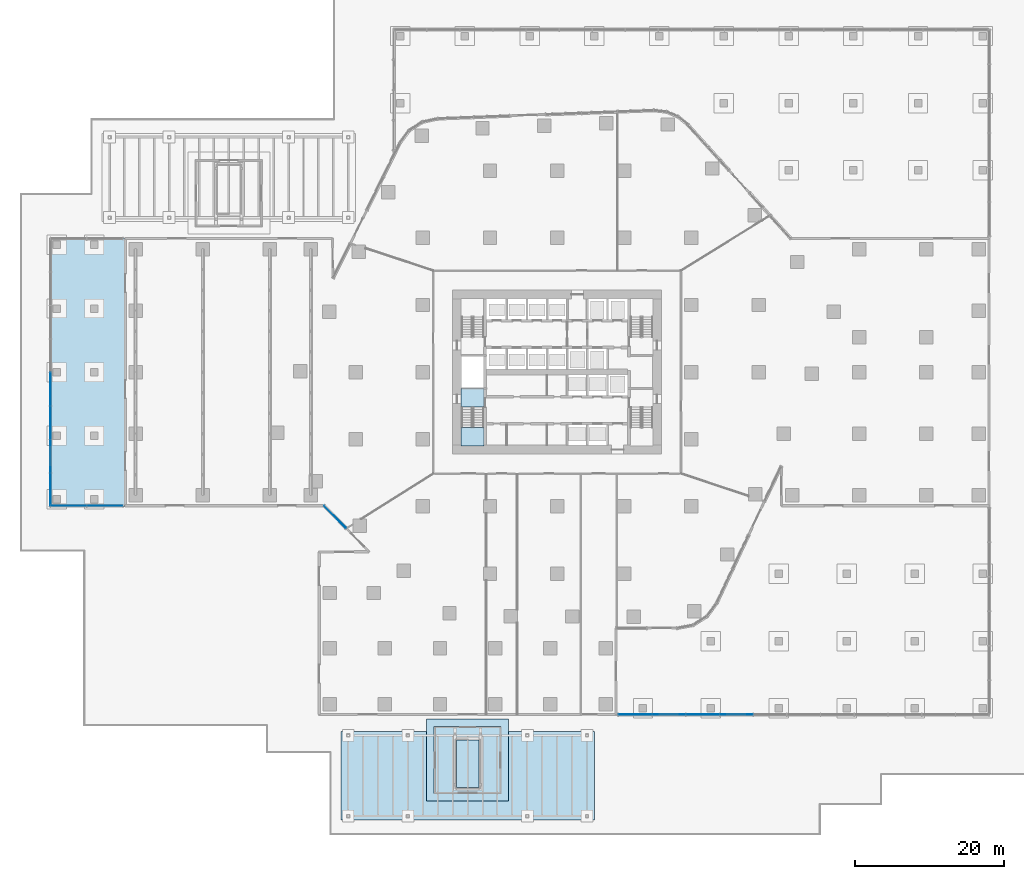
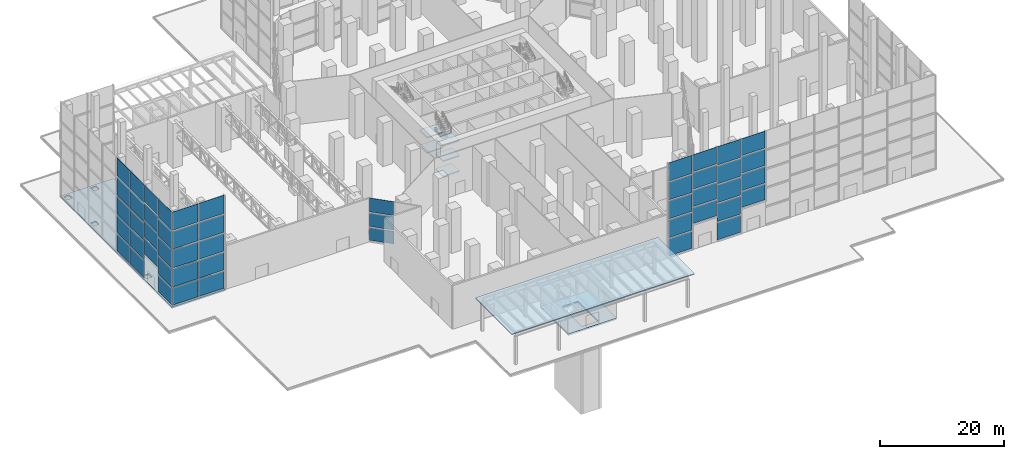
# One storey, part 21 of 40: 50 plates, 9 slabs, 10 elements without a shape of their own.
"""IFC4 building model written with IfcOpenShell, lengths in metres."""

import ifcopenshell
import ifcopenshell.guid

model = None  # the IFC model being written
_history = None  # IfcOwnerHistory: only IFC2X3 demands one
_inside = {}  # id of a spatial element -> (the spatial element, [elements in it])
_under = {}  # id of a project, library or spatial element -> (it, [spatial elements below it])
_declared = {}  # id of a project -> (the project, [libraries it declares])
_typed = {}  # id of a type object -> (the type object, [elements of that type])
_made_of = {}  # id of a material, layer set ... -> (it, [elements and type objects made of it])


def new_model(schema):
    """Start an empty IFC model of exactly this schema.

    Asked for "IFC4X3", IfcOpenShell would pick the latest addendum, in which some entities
    have other attributes; the version numbers below select the first issue.
    IFC2X3 requires an IfcOwnerHistory on every rooted entity: one is made here for all.
    """
    global model, _history
    if schema == "IFC4X3":
        model = ifcopenshell.file(schema_version=(4, 3, 0, 0))
    else:
        model = ifcopenshell.file(schema=schema)
    _inside.clear()
    _under.clear()
    _declared.clear()
    _typed.clear()
    _made_of.clear()
    _history = None
    if model.schema == "IFC2X3":
        org = make("IfcOrganization", Name="unknown")
        user = make(
            "IfcPersonAndOrganization",
            ThePerson=make("IfcPerson", FamilyName="unknown"),
            TheOrganization=org,
        )
        app = make(
            "IfcApplication",
            ApplicationDeveloper=org,
            Version="unknown",
            ApplicationFullName="unknown",
            ApplicationIdentifier="unknown",
        )
        _history = make(
            "IfcOwnerHistory",
            OwningUser=user,
            OwningApplication=app,
            ChangeAction="ADDED",
            CreationDate=0,
        )
    return model


def make(cls, **values):
    """One entity of the class cls with the attributes given. An attribute that is None is left unset."""
    return model.create_entity(
        cls, **{name: value for name, value in values.items() if value is not None}
    )


def rooted(cls, **values):
    """An entity with a GlobalId (a new one), such as an element, a storey or a relation."""
    return make(cls, GlobalId=ifcopenshell.guid.new(), OwnerHistory=_history, **values)


def si_unit(unit_type, name, prefix=None):
    """IfcSIUnit, for example si_unit("LENGTHUNIT", "METRE", prefix="MILLI")."""
    return make("IfcSIUnit", UnitType=unit_type, Prefix=prefix, Name=name)


def assignment(units):
    """IfcUnitAssignment: the units of a project."""
    return None if units is None else make("IfcUnitAssignment", Units=units)


def point(xyz):
    """IfcCartesianPoint."""
    return None if xyz is None else make("IfcCartesianPoint", Coordinates=xyz)


def direction(xyz):
    """IfcDirection."""
    return None if xyz is None else make("IfcDirection", DirectionRatios=xyz)


def frame(location, z_axis=None, x_axis=None):
    """IfcAxis2Placement3D, a coordinate frame: its origin and axes. An axis left out is left unset."""
    return make(
        "IfcAxis2Placement3D",
        Location=point(location),
        Axis=direction(z_axis),
        RefDirection=direction(x_axis),
    )


def frame_2d(location, x_axis=None):
    """IfcAxis2Placement2D, a coordinate frame in the plane: its origin and x axis."""
    return make(
        "IfcAxis2Placement2D", Location=point(location), RefDirection=direction(x_axis)
    )


def origin():
    """The frame at (0, 0, 0) with its axes left unset."""
    return frame((0.0, 0.0, 0.0))


def origin_2d():
    """The frame at (0, 0) in the plane with its x axis left unset."""
    return frame_2d((0.0, 0.0))


def place(relative_to, where):
    """IfcLocalPlacement: puts the frame where relative to a parent placement (None: the world)."""
    return make(
        "IfcLocalPlacement", PlacementRelTo=relative_to, RelativePlacement=where
    )


def context(
    kind, dimensions, precision=None, world=None, true_north=None, identifier=None
):
    """IfcGeometricRepresentationContext, for example the 3D "Model" context."""
    return make(
        "IfcGeometricRepresentationContext",
        ContextIdentifier=identifier,
        ContextType=kind,
        CoordinateSpaceDimension=dimensions,
        Precision=precision,
        WorldCoordinateSystem=world,
        TrueNorth=true_north,
    )


def subcontext(parent, identifier, kind, view, scale=None):
    """IfcGeometricRepresentationSubContext, for example "Body" below "Model"."""
    return make(
        "IfcGeometricRepresentationSubContext",
        ContextIdentifier=identifier,
        ContextType=kind,
        ParentContext=parent,
        TargetScale=scale,
        TargetView=view,
    )


def project(units=None, contexts=None):
    """IfcProject with its units and contexts."""
    return rooted(
        "IfcProject",
        Name="project",
        RepresentationContexts=contexts,
        UnitsInContext=assignment(units),
    )


def spatial(cls, under=None, at=None, **own):
    """A site, building, storey or space (cls), placed at a placement, below another one or the project."""
    s = rooted(cls, ObjectPlacement=at, **own)
    if under is not None:
        _under.setdefault(under.id(), (under, []))[1].append(s)
    return s


def polyline(points):
    """IfcPolyline through the points."""
    return make("IfcPolyline", Points=[point(p) for p in points])


def profile(cls, at=None, kind="AREA", **sizes):
    """A parametric profile (cls). Its sizes go by their IFC names, for example OverallWidth=200.0."""
    return make(cls, ProfileType=kind, Position=at, **sizes)


def rectangle(**sizes):
    """IfcRectangleProfileDef."""
    return profile("IfcRectangleProfileDef", **sizes)


def outline(outer, holes=None, kind="AREA"):
    """IfcArbitraryClosedProfileDef: a profile drawn as a closed curve; with holes, ...WithVoids."""
    if holes is None:
        return make("IfcArbitraryClosedProfileDef", ProfileType=kind, OuterCurve=outer)
    return make(
        "IfcArbitraryProfileDefWithVoids",
        ProfileType=kind,
        OuterCurve=outer,
        InnerCurves=holes,
    )


def extrude(swept, where, along, depth):
    """IfcExtrudedAreaSolid: the profile swept, set in the frame where, extruded along a direction by depth."""
    return make(
        "IfcExtrudedAreaSolid",
        SweptArea=swept,
        Position=where,
        ExtrudedDirection=direction(along),
        Depth=depth,
    )


def shape(context_of_items, identifier, shape_type, items):
    """IfcShapeRepresentation: the items that make up one representation, for example the "Body"."""
    return make(
        "IfcShapeRepresentation",
        ContextOfItems=context_of_items,
        RepresentationIdentifier=identifier,
        RepresentationType=shape_type,
        Items=items,
    )


def material(Name=None, Category=None):
    """IfcMaterial."""
    return make("IfcMaterial", Name=Name, Category=Category)


def layer(
    of_material, thickness, ventilated=None, Name=None, Category=None, Priority=None
):
    """IfcMaterialLayer: one layer of a wall or slab, of a material (None: an air gap)."""
    return make(
        "IfcMaterialLayer",
        Material=of_material,
        LayerThickness=thickness,
        IsVentilated=ventilated,
        Name=Name,
        Category=Category,
        Priority=Priority,
    )


def layer_set(layers, Name=None):
    """IfcMaterialLayerSet."""
    return make("IfcMaterialLayerSet", MaterialLayers=layers, LayerSetName=Name)


def made_of(thing, what):
    """Note that an element or type object is made of a material, layer set ...; save() writes the relation."""
    if what is not None:
        _made_of.setdefault(what.id(), (what, []))[1].append(thing)
    return thing


def type_object(cls, material=None, **own):
    """A type object (cls), such as IfcWallType, which elements share."""
    return made_of(rooted(cls, **own), material)


def element(
    cls,
    number,
    at=None,
    inside=None,
    cuts=None,
    type_object=None,
    material=None,
    context=None,
    identifier="Body",
    shape_type=None,
    held_by="IfcProductDefinitionShape",
    body=None,
    shapes=None,
    **own,
):
    """One element of the class cls, such as IfcWall. Its Tag is "e" and its number.

    at: its placement. inside: the storey or other place that contains it. cuts: it is an
    opening in that element (IfcRelVoidsElement). A single representation is given by context,
    identifier, shape_type and body (its items); several are given by shapes. held_by: the class
    of the entity that holds the representations. save() writes the other relations.
    """
    e = rooted(cls, Tag="e%d" % number, ObjectPlacement=at, **own)
    if body is not None:
        shapes = [shape(context, identifier, shape_type, body)]
    if shapes is not None:
        e.Representation = make(held_by, Representations=shapes)
    if inside is not None:
        _inside.setdefault(inside.id(), (inside, []))[1].append(e)
    if cuts is not None:
        rooted(
            "IfcRelVoidsElement", RelatingBuildingElement=cuts, RelatedOpeningElement=e
        )
    if type_object is not None:
        _typed.setdefault(type_object.id(), (type_object, []))[1].append(e)
    return made_of(e, material)


def aggregate(whole, parts):
    """IfcRelAggregates: a whole, such as a stair, and the parts it consists of."""
    return rooted("IfcRelAggregates", RelatingObject=whole, RelatedObjects=parts)


def save(model, path):
    """Write the relations noted so far, then the file.

    IfcRelAggregates (storeys below a building ...), IfcRelContainedInSpatialStructure (elements
    in a storey), IfcRelDefinesByType, IfcRelAssociatesMaterial and IfcRelDeclares: one each for
    every whole, place, type object, material and project.
    """
    for whole, parts in _under.values():
        aggregate(whole, parts)
    for where, things in _inside.values():
        rooted(
            "IfcRelContainedInSpatialStructure",
            RelatedElements=things,
            RelatingStructure=where,
        )
    for kind, things in _typed.values():
        rooted("IfcRelDefinesByType", RelatedObjects=things, RelatingType=kind)
    for what, things in _made_of.values():
        rooted("IfcRelAssociatesMaterial", RelatedObjects=things, RelatingMaterial=what)
    for by, libraries in _declared.values():
        rooted("IfcRelDeclares", RelatingContext=by, RelatedDefinitions=libraries)
    model.write(path)


model = new_model("IFC4")

# Units and contexts
model_context = context("Model", 3, precision=1e-05, world=origin(), true_north=direction((0.0, 1.0)))
body_context = subcontext(model_context, "Body", "Model", "MODEL_VIEW")
ifc_project = project(units=[si_unit("LENGTHUNIT", "METRE"), si_unit("AREAUNIT", "SQUARE_METRE"), si_unit("VOLUMEUNIT", "CUBIC_METRE"), si_unit("PLANEANGLEUNIT", "RADIAN"), si_unit("MASSUNIT", "GRAM", prefix="KILO")], contexts=[model_context])

# Site, building, storey
site_placement = place(None, origin())
site = spatial("IfcSite", under=ifc_project, at=site_placement, CompositionType="ELEMENT")
building_placement = place(site_placement, origin())
building = spatial("IfcBuilding", under=site, at=building_placement, Name="Dongbaek Canopy Tower", CompositionType="ELEMENT")
storey_placement = place(building_placement, origin())
storey = spatial("IfcBuildingStorey", under=building, at=storey_placement, Name="L00", CompositionType="ELEMENT", Elevation=0.0)

# Curtain wall, plates
ifc_material_1 = material(Name="Aluminium 6063-T6 pale anodised", Category="aluminium")
ifc_layer_1 = layer(ifc_material_1, 0.39990234375)
ifc_layer_set_1 = layer_set([ifc_layer_1], Name="CW-3 lobby double-height curtain wall")
curtain_wall_type = type_object("IfcCurtainWallType", Name="CW-3 lobby double-height curtain wall", PredefinedType="NOTDEFINED", material=ifc_layer_set_1)
curtain_wall_1_placement = place(storey_placement, origin())
curtain_wall_1 = element("IfcCurtainWall", 1, at=curtain_wall_1_placement, inside=storey, type_object=curtain_wall_type, Name="CW-3 curtain wall F12.1", PredefinedType="NOTDEFINED")
ifc_material_2 = material(Name="Clear laminated glass", Category="glass")
ifc_layer_2 = layer(ifc_material_2, 0.0439453125)
ifc_layer_set_2 = layer_set([ifc_layer_2], Name="CW-3 glazed panel 44")
plate_type = type_object("IfcPlateType", Name="CW-3 glazed panel 44", PredefinedType="CURTAIN_PANEL", material=ifc_layer_set_2)
plate_1_placement = place(storey_placement, frame((-29.7578125, -19.414794921875, 0.25), z_axis=(0.0, 0.0, 1.0), x_axis=(0.701718297237, -0.712454511757, 0.0)))
plate_1 = element("IfcPlate", 2, at=plate_1_placement, type_object=plate_type, Name="CW-3 panel F12.1.1.1", PredefinedType="CURTAIN_PANEL", context=body_context, shape_type="SweptSolid", body=[
    extrude(rectangle(XDim=4.128662109375, YDim=0.0439453125, at=origin_2d()), origin(), (0.0, 0.0, 1.0), 2.47509765625),
])
plate_2_placement = place(storey_placement, frame((-29.7578125, -19.414794921875, 2.974853515625), z_axis=(0.0, 0.0, 1.0), x_axis=(0.701718297237, -0.712454511757, 0.0)))
plate_2 = element("IfcPlate", 3, at=plate_2_placement, type_object=plate_type, Name="CW-3 panel F12.1.1.2", PredefinedType="CURTAIN_PANEL", context=body_context, shape_type="SweptSolid", body=[
    extrude(rectangle(XDim=4.128662109375, YDim=0.0439453125, at=origin_2d()), origin(), (0.0, 0.0, 1.0), 2.60009765625),
])
plate_3_placement = place(storey_placement, frame((-29.7578125, -19.414794921875, 5.824951171875), z_axis=(0.0, 0.0, 1.0), x_axis=(0.701718297237, -0.712454511757, 0.0)))
plate_3 = element("IfcPlate", 4, at=plate_3_placement, type_object=plate_type, Name="CW-3 panel F12.1.1.3", PredefinedType="CURTAIN_PANEL", context=body_context, shape_type="SweptSolid", body=[
    extrude(rectangle(XDim=4.128662109375, YDim=0.0439453125, at=origin_2d()), origin(), (0.0, 0.0, 1.0), 2.72509765625),
])
aggregate(curtain_wall_1, [plate_1, plate_2, plate_3])

curtain_wall_2_placement = place(storey_placement, origin())
curtain_wall_2 = element("IfcCurtainWall", 5, at=curtain_wall_2_placement, inside=storey, type_object=curtain_wall_type, Name="CW-3 curtain wall HSS.1", PredefinedType="NOTDEFINED")
plate_4_placement = place(storey_placement, frame((10.458984375, -45.89990234375, 0.25), z_axis=(0.0, 0.0, 1.0), x_axis=(1.0, 0.0, 0.0)))
plate_4 = element("IfcPlate", 6, at=plate_4_placement, type_object=plate_type, Name="CW-3 panel HSS.1.1.1", PredefinedType="CURTAIN_PANEL", context=body_context, shape_type="SweptSolid", body=[
    extrude(rectangle(XDim=4.394287109375, YDim=0.0439453125, at=origin_2d()), origin(), (0.0, 0.0, 1.0), 3.3349609375),
])
plate_5_placement = place(storey_placement, frame((10.458984375, -45.89990234375, 3.8349609375), z_axis=(0.0, 0.0, 1.0), x_axis=(1.0, 0.0, 0.0)))
plate_5 = element("IfcPlate", 7, at=plate_5_placement, type_object=plate_type, Name="CW-3 panel HSS.1.1.2", PredefinedType="CURTAIN_PANEL", context=body_context, shape_type="SweptSolid", body=[
    extrude(rectangle(XDim=4.394287109375, YDim=0.0439453125, at=origin_2d()), origin(), (0.0, 0.0, 1.0), 3.4599609375),
])
plate_6_placement = place(storey_placement, frame((10.458984375, -45.89990234375, 7.544921875), z_axis=(0.0, 0.0, 1.0), x_axis=(1.0, 0.0, 0.0)))
plate_6 = element("IfcPlate", 8, at=plate_6_placement, type_object=plate_type, Name="CW-3 panel HSS.1.1.3", PredefinedType="CURTAIN_PANEL", context=body_context, shape_type="SweptSolid", body=[
    extrude(rectangle(XDim=4.394287109375, YDim=0.0439453125, at=origin_2d()), origin(), (0.0, 0.0, 1.0), 3.4599609375),
])
plate_7_placement = place(storey_placement, frame((10.458984375, -45.89990234375, 11.255126953125), z_axis=(0.0, 0.0, 1.0), x_axis=(1.0, 0.0, 0.0)))
plate_7 = element("IfcPlate", 9, at=plate_7_placement, type_object=plate_type, Name="CW-3 panel HSS.1.1.4", PredefinedType="CURTAIN_PANEL", context=body_context, shape_type="SweptSolid", body=[
    extrude(rectangle(XDim=4.394287109375, YDim=0.0439453125, at=origin_2d()), origin(), (0.0, 0.0, 1.0), 3.4599609375),
])
plate_8_placement = place(storey_placement, frame((10.458984375, -45.89990234375, 14.965087890625), z_axis=(0.0, 0.0, 1.0), x_axis=(1.0, 0.0, 0.0)))
plate_8 = element("IfcPlate", 10, at=plate_8_placement, type_object=plate_type, Name="CW-3 panel HSS.1.1.5", PredefinedType="CURTAIN_PANEL", context=body_context, shape_type="SweptSolid", body=[
    extrude(rectangle(XDim=4.394287109375, YDim=0.0439453125, at=origin_2d()), origin(), (0.0, 0.0, 1.0), 3.5849609375),
])
aggregate(curtain_wall_2, [plate_4, plate_5, plate_6, plate_7, plate_8])

curtain_wall_3_placement = place(storey_placement, origin())
curtain_wall_3 = element("IfcCurtainWall", 11, at=curtain_wall_3_placement, inside=storey, type_object=curtain_wall_type, Name="CW-3 curtain wall HSS.2U", PredefinedType="NOTDEFINED")
plate_9_placement = place(storey_placement, frame((14.977294921875, -45.89990234375, 5.050048828125), z_axis=(0.0, 0.0, 1.0), x_axis=(1.0, 0.0, 0.0)))
plate_9 = element("IfcPlate", 12, at=plate_9_placement, type_object=plate_type, Name="CW-3 panel HSS.2U.1.1", PredefinedType="CURTAIN_PANEL", context=body_context, shape_type="SweptSolid", body=[
    extrude(rectangle(XDim=4.394287109375, YDim=0.0439453125, at=origin_2d()), origin(), (0.0, 0.0, 1.0), 3.0625),
])
plate_10_placement = place(storey_placement, frame((14.977294921875, -45.89990234375, 8.362548828125), z_axis=(0.0, 0.0, 1.0), x_axis=(1.0, 0.0, 0.0)))
plate_10 = element("IfcPlate", 13, at=plate_10_placement, type_object=plate_type, Name="CW-3 panel HSS.2U.1.2", PredefinedType="CURTAIN_PANEL", context=body_context, shape_type="SweptSolid", body=[
    extrude(rectangle(XDim=4.394287109375, YDim=0.0439453125, at=origin_2d()), origin(), (0.0, 0.0, 1.0), 3.1875),
])
plate_11_placement = place(storey_placement, frame((14.977294921875, -45.89990234375, 11.800048828125), z_axis=(0.0, 0.0, 1.0), x_axis=(1.0, 0.0, 0.0)))
plate_11 = element("IfcPlate", 14, at=plate_11_placement, type_object=plate_type, Name="CW-3 panel HSS.2U.1.3", PredefinedType="CURTAIN_PANEL", context=body_context, shape_type="SweptSolid", body=[
    extrude(rectangle(XDim=4.394287109375, YDim=0.0439453125, at=origin_2d()), origin(), (0.0, 0.0, 1.0), 3.1875),
])
plate_12_placement = place(storey_placement, frame((14.977294921875, -45.89990234375, 15.237548828125), z_axis=(0.0, 0.0, 1.0), x_axis=(1.0, 0.0, 0.0)))
plate_12 = element("IfcPlate", 15, at=plate_12_placement, type_object=plate_type, Name="CW-3 panel HSS.2U.1.4", PredefinedType="CURTAIN_PANEL", context=body_context, shape_type="SweptSolid", body=[
    extrude(rectangle(XDim=4.394287109375, YDim=0.0439453125, at=origin_2d()), origin(), (0.0, 0.0, 1.0), 3.3125),
])
aggregate(curtain_wall_3, [plate_9, plate_10, plate_11, plate_12])

curtain_wall_4_placement = place(storey_placement, origin())
curtain_wall_4 = element("IfcCurtainWall", 16, at=curtain_wall_4_placement, inside=storey, type_object=curtain_wall_type, Name="CW-3 curtain wall HSS.2", PredefinedType="NOTDEFINED")
plate_13_placement = place(storey_placement, frame((19.495361328125, -45.89990234375, 0.25), z_axis=(0.0, 0.0, 1.0), x_axis=(1.0, 0.0, 0.0)))
plate_13 = element("IfcPlate", 17, at=plate_13_placement, type_object=plate_type, Name="CW-3 panel HSS.2.1.1", PredefinedType="CURTAIN_PANEL", context=body_context, shape_type="SweptSolid", body=[
    extrude(rectangle(XDim=4.394287109375, YDim=0.0439453125, at=origin_2d()), origin(), (0.0, 0.0, 1.0), 3.3349609375),
])
plate_14_placement = place(storey_placement, frame((19.495361328125, -45.89990234375, 3.8349609375), z_axis=(0.0, 0.0, 1.0), x_axis=(1.0, 0.0, 0.0)))
plate_14 = element("IfcPlate", 18, at=plate_14_placement, type_object=plate_type, Name="CW-3 panel HSS.2.1.2", PredefinedType="CURTAIN_PANEL", context=body_context, shape_type="SweptSolid", body=[
    extrude(rectangle(XDim=4.394287109375, YDim=0.0439453125, at=origin_2d()), origin(), (0.0, 0.0, 1.0), 3.4599609375),
])
plate_15_placement = place(storey_placement, frame((19.495361328125, -45.89990234375, 7.544921875), z_axis=(0.0, 0.0, 1.0), x_axis=(1.0, 0.0, 0.0)))
plate_15 = element("IfcPlate", 19, at=plate_15_placement, type_object=plate_type, Name="CW-3 panel HSS.2.1.3", PredefinedType="CURTAIN_PANEL", context=body_context, shape_type="SweptSolid", body=[
    extrude(rectangle(XDim=4.394287109375, YDim=0.0439453125, at=origin_2d()), origin(), (0.0, 0.0, 1.0), 3.4599609375),
])
plate_16_placement = place(storey_placement, frame((19.495361328125, -45.89990234375, 11.255126953125), z_axis=(0.0, 0.0, 1.0), x_axis=(1.0, 0.0, 0.0)))
plate_16 = element("IfcPlate", 20, at=plate_16_placement, type_object=plate_type, Name="CW-3 panel HSS.2.1.4", PredefinedType="CURTAIN_PANEL", context=body_context, shape_type="SweptSolid", body=[
    extrude(rectangle(XDim=4.394287109375, YDim=0.0439453125, at=origin_2d()), origin(), (0.0, 0.0, 1.0), 3.4599609375),
])
plate_17_placement = place(storey_placement, frame((19.495361328125, -45.89990234375, 14.965087890625), z_axis=(0.0, 0.0, 1.0), x_axis=(1.0, 0.0, 0.0)))
plate_17 = element("IfcPlate", 21, at=plate_17_placement, type_object=plate_type, Name="CW-3 panel HSS.2.1.5", PredefinedType="CURTAIN_PANEL", context=body_context, shape_type="SweptSolid", body=[
    extrude(rectangle(XDim=4.394287109375, YDim=0.0439453125, at=origin_2d()), origin(), (0.0, 0.0, 1.0), 3.5849609375),
])
aggregate(curtain_wall_4, [plate_13, plate_14, plate_15, plate_16, plate_17])

curtain_wall_5_placement = place(storey_placement, origin())
curtain_wall_5 = element("IfcCurtainWall", 22, at=curtain_wall_5_placement, inside=storey, type_object=curtain_wall_type, Name="CW-3 curtain wall HSS.4U", PredefinedType="NOTDEFINED")
plate_18_placement = place(storey_placement, frame((24.013671875, -45.89990234375, 5.050048828125), z_axis=(0.0, 0.0, 1.0), x_axis=(1.0, 0.0, 0.0)))
plate_18 = element("IfcPlate", 23, at=plate_18_placement, type_object=plate_type, Name="CW-3 panel HSS.4U.1.1", PredefinedType="CURTAIN_PANEL", context=body_context, shape_type="SweptSolid", body=[
    extrude(rectangle(XDim=4.394287109375, YDim=0.0439453125, at=origin_2d()), origin(), (0.0, 0.0, 1.0), 3.0625),
])
plate_19_placement = place(storey_placement, frame((24.013671875, -45.89990234375, 8.362548828125), z_axis=(0.0, 0.0, 1.0), x_axis=(1.0, 0.0, 0.0)))
plate_19 = element("IfcPlate", 24, at=plate_19_placement, type_object=plate_type, Name="CW-3 panel HSS.4U.1.2", PredefinedType="CURTAIN_PANEL", context=body_context, shape_type="SweptSolid", body=[
    extrude(rectangle(XDim=4.394287109375, YDim=0.0439453125, at=origin_2d()), origin(), (0.0, 0.0, 1.0), 3.1875),
])
plate_20_placement = place(storey_placement, frame((24.013671875, -45.89990234375, 11.800048828125), z_axis=(0.0, 0.0, 1.0), x_axis=(1.0, 0.0, 0.0)))
plate_20 = element("IfcPlate", 25, at=plate_20_placement, type_object=plate_type, Name="CW-3 panel HSS.4U.1.3", PredefinedType="CURTAIN_PANEL", context=body_context, shape_type="SweptSolid", body=[
    extrude(rectangle(XDim=4.394287109375, YDim=0.0439453125, at=origin_2d()), origin(), (0.0, 0.0, 1.0), 3.1875),
])
plate_21_placement = place(storey_placement, frame((24.013671875, -45.89990234375, 15.237548828125), z_axis=(0.0, 0.0, 1.0), x_axis=(1.0, 0.0, 0.0)))
plate_21 = element("IfcPlate", 26, at=plate_21_placement, type_object=plate_type, Name="CW-3 panel HSS.4U.1.4", PredefinedType="CURTAIN_PANEL", context=body_context, shape_type="SweptSolid", body=[
    extrude(rectangle(XDim=4.394287109375, YDim=0.0439453125, at=origin_2d()), origin(), (0.0, 0.0, 1.0), 3.3125),
])
aggregate(curtain_wall_5, [plate_18, plate_19, plate_20, plate_21])

curtain_wall_6_placement = place(storey_placement, origin())
curtain_wall_6 = element("IfcCurtainWall", 27, at=curtain_wall_6_placement, inside=storey, type_object=curtain_wall_type, Name="CW-3 curtain wall HWS.1", PredefinedType="NOTDEFINED")
plate_22_placement = place(storey_placement, frame((-65.47509765625, -17.89990234375, 0.25), z_axis=(0.0, 0.0, 1.0), x_axis=(1.0, 0.0, 0.0)))
plate_22 = element("IfcPlate", 28, at=plate_22_placement, type_object=plate_type, Name="CW-3 panel HWS.1.1.1", PredefinedType="CURTAIN_PANEL", context=body_context, shape_type="SweptSolid", body=[
    extrude(rectangle(XDim=4.72607421875, YDim=0.0439453125, at=origin_2d()), origin(), (0.0, 0.0, 1.0), 3.3349609375),
])
plate_23_placement = place(storey_placement, frame((-65.47509765625, -17.89990234375, 3.8349609375), z_axis=(0.0, 0.0, 1.0), x_axis=(1.0, 0.0, 0.0)))
plate_23 = element("IfcPlate", 29, at=plate_23_placement, type_object=plate_type, Name="CW-3 panel HWS.1.1.2", PredefinedType="CURTAIN_PANEL", context=body_context, shape_type="SweptSolid", body=[
    extrude(rectangle(XDim=4.72607421875, YDim=0.0439453125, at=origin_2d()), origin(), (0.0, 0.0, 1.0), 3.4599609375),
])
plate_24_placement = place(storey_placement, frame((-65.47509765625, -17.89990234375, 7.544921875), z_axis=(0.0, 0.0, 1.0), x_axis=(1.0, 0.0, 0.0)))
plate_24 = element("IfcPlate", 30, at=plate_24_placement, type_object=plate_type, Name="CW-3 panel HWS.1.1.3", PredefinedType="CURTAIN_PANEL", context=body_context, shape_type="SweptSolid", body=[
    extrude(rectangle(XDim=4.72607421875, YDim=0.0439453125, at=origin_2d()), origin(), (0.0, 0.0, 1.0), 3.4599609375),
])
plate_25_placement = place(storey_placement, frame((-65.47509765625, -17.89990234375, 11.255126953125), z_axis=(0.0, 0.0, 1.0), x_axis=(1.0, 0.0, 0.0)))
plate_25 = element("IfcPlate", 31, at=plate_25_placement, type_object=plate_type, Name="CW-3 panel HWS.1.1.4", PredefinedType="CURTAIN_PANEL", context=body_context, shape_type="SweptSolid", body=[
    extrude(rectangle(XDim=4.72607421875, YDim=0.0439453125, at=origin_2d()), origin(), (0.0, 0.0, 1.0), 3.4599609375),
])
plate_26_placement = place(storey_placement, frame((-65.47509765625, -17.89990234375, 14.965087890625), z_axis=(0.0, 0.0, 1.0), x_axis=(1.0, 0.0, 0.0)))
plate_26 = element("IfcPlate", 32, at=plate_26_placement, type_object=plate_type, Name="CW-3 panel HWS.1.1.5", PredefinedType="CURTAIN_PANEL", context=body_context, shape_type="SweptSolid", body=[
    extrude(rectangle(XDim=4.72607421875, YDim=0.0439453125, at=origin_2d()), origin(), (0.0, 0.0, 1.0), 3.5849609375),
])
plate_27_placement = place(storey_placement, frame((-60.625, -17.89990234375, 0.25), z_axis=(0.0, 0.0, 1.0), x_axis=(1.0, 0.0, 0.0)))
plate_27 = element("IfcPlate", 33, at=plate_27_placement, type_object=plate_type, Name="CW-3 panel HWS.1.2.1", PredefinedType="CURTAIN_PANEL", context=body_context, shape_type="SweptSolid", body=[
    extrude(rectangle(XDim=4.72607421875, YDim=0.0439453125, at=origin_2d()), origin(), (0.0, 0.0, 1.0), 3.3349609375),
])
plate_28_placement = place(storey_placement, frame((-60.625, -17.89990234375, 3.8349609375), z_axis=(0.0, 0.0, 1.0), x_axis=(1.0, 0.0, 0.0)))
plate_28 = element("IfcPlate", 34, at=plate_28_placement, type_object=plate_type, Name="CW-3 panel HWS.1.2.2", PredefinedType="CURTAIN_PANEL", context=body_context, shape_type="SweptSolid", body=[
    extrude(rectangle(XDim=4.72607421875, YDim=0.0439453125, at=origin_2d()), origin(), (0.0, 0.0, 1.0), 3.4599609375),
])
plate_29_placement = place(storey_placement, frame((-60.625, -17.89990234375, 7.544921875), z_axis=(0.0, 0.0, 1.0), x_axis=(1.0, 0.0, 0.0)))
plate_29 = element("IfcPlate", 35, at=plate_29_placement, type_object=plate_type, Name="CW-3 panel HWS.1.2.3", PredefinedType="CURTAIN_PANEL", context=body_context, shape_type="SweptSolid", body=[
    extrude(rectangle(XDim=4.72607421875, YDim=0.0439453125, at=origin_2d()), origin(), (0.0, 0.0, 1.0), 3.4599609375),
])
plate_30_placement = place(storey_placement, frame((-60.625, -17.89990234375, 11.255126953125), z_axis=(0.0, 0.0, 1.0), x_axis=(1.0, 0.0, 0.0)))
plate_30 = element("IfcPlate", 36, at=plate_30_placement, type_object=plate_type, Name="CW-3 panel HWS.1.2.4", PredefinedType="CURTAIN_PANEL", context=body_context, shape_type="SweptSolid", body=[
    extrude(rectangle(XDim=4.72607421875, YDim=0.0439453125, at=origin_2d()), origin(), (0.0, 0.0, 1.0), 3.4599609375),
])
plate_31_placement = place(storey_placement, frame((-60.625, -17.89990234375, 14.965087890625), z_axis=(0.0, 0.0, 1.0), x_axis=(1.0, 0.0, 0.0)))
plate_31 = element("IfcPlate", 37, at=plate_31_placement, type_object=plate_type, Name="CW-3 panel HWS.1.2.5", PredefinedType="CURTAIN_PANEL", context=body_context, shape_type="SweptSolid", body=[
    extrude(rectangle(XDim=4.72607421875, YDim=0.0439453125, at=origin_2d()), origin(), (0.0, 0.0, 1.0), 3.5849609375),
])
aggregate(curtain_wall_6, [plate_22, plate_23, plate_24, plate_25, plate_26, plate_27, plate_28, plate_29, plate_30, plate_31])

curtain_wall_7_placement = place(storey_placement, origin())
curtain_wall_7 = element("IfcCurtainWall", 38, at=curtain_wall_7_placement, inside=storey, type_object=curtain_wall_type, Name="CW-3 curtain wall HWW.2", PredefinedType="NOTDEFINED")
plate_32_placement = place(storey_placement, frame((-67.89990234375, -2.293701171875, 0.25), z_axis=(0.0, 0.0, 1.0), x_axis=(0.0, -1.0, 0.0)))
plate_32 = element("IfcPlate", 39, at=plate_32_placement, type_object=plate_type, Name="CW-3 panel HWW.2.3.1", PredefinedType="CURTAIN_PANEL", context=body_context, shape_type="SweptSolid", body=[
    extrude(rectangle(XDim=4.363525390625, YDim=0.0439453125, at=origin_2d()), origin(), (0.0, 0.0, 1.0), 3.3349609375),
])
plate_33_placement = place(storey_placement, frame((-67.89990234375, -2.293701171875, 3.8349609375), z_axis=(0.0, 0.0, 1.0), x_axis=(0.0, -1.0, 0.0)))
plate_33 = element("IfcPlate", 40, at=plate_33_placement, type_object=plate_type, Name="CW-3 panel HWW.2.3.2", PredefinedType="CURTAIN_PANEL", context=body_context, shape_type="SweptSolid", body=[
    extrude(rectangle(XDim=4.363525390625, YDim=0.0439453125, at=origin_2d()), origin(), (0.0, 0.0, 1.0), 3.4599609375),
])
plate_34_placement = place(storey_placement, frame((-67.89990234375, -2.293701171875, 7.544921875), z_axis=(0.0, 0.0, 1.0), x_axis=(0.0, -1.0, 0.0)))
plate_34 = element("IfcPlate", 41, at=plate_34_placement, type_object=plate_type, Name="CW-3 panel HWW.2.3.3", PredefinedType="CURTAIN_PANEL", context=body_context, shape_type="SweptSolid", body=[
    extrude(rectangle(XDim=4.363525390625, YDim=0.0439453125, at=origin_2d()), origin(), (0.0, 0.0, 1.0), 3.4599609375),
])
plate_35_placement = place(storey_placement, frame((-67.89990234375, -2.293701171875, 11.255126953125), z_axis=(0.0, 0.0, 1.0), x_axis=(0.0, -1.0, 0.0)))
plate_35 = element("IfcPlate", 42, at=plate_35_placement, type_object=plate_type, Name="CW-3 panel HWW.2.3.4", PredefinedType="CURTAIN_PANEL", context=body_context, shape_type="SweptSolid", body=[
    extrude(rectangle(XDim=4.363525390625, YDim=0.0439453125, at=origin_2d()), origin(), (0.0, 0.0, 1.0), 3.4599609375),
])
plate_36_placement = place(storey_placement, frame((-67.89990234375, -2.293701171875, 14.965087890625), z_axis=(0.0, 0.0, 1.0), x_axis=(0.0, -1.0, 0.0)))
plate_36 = element("IfcPlate", 43, at=plate_36_placement, type_object=plate_type, Name="CW-3 panel HWW.2.3.5", PredefinedType="CURTAIN_PANEL", context=body_context, shape_type="SweptSolid", body=[
    extrude(rectangle(XDim=4.363525390625, YDim=0.0439453125, at=origin_2d()), origin(), (0.0, 0.0, 1.0), 3.5849609375),
])
plate_37_placement = place(storey_placement, frame((-67.89990234375, -6.78125, 0.25), z_axis=(0.0, 0.0, 1.0), x_axis=(0.0, -1.0, 0.0)))
plate_37 = element("IfcPlate", 44, at=plate_37_placement, type_object=plate_type, Name="CW-3 panel HWW.2.4.1", PredefinedType="CURTAIN_PANEL", context=body_context, shape_type="SweptSolid", body=[
    extrude(rectangle(XDim=4.363525390625, YDim=0.0439453125, at=origin_2d()), origin(), (0.0, 0.0, 1.0), 3.3349609375),
])
plate_38_placement = place(storey_placement, frame((-67.89990234375, -6.78125, 3.8349609375), z_axis=(0.0, 0.0, 1.0), x_axis=(0.0, -1.0, 0.0)))
plate_38 = element("IfcPlate", 45, at=plate_38_placement, type_object=plate_type, Name="CW-3 panel HWW.2.4.2", PredefinedType="CURTAIN_PANEL", context=body_context, shape_type="SweptSolid", body=[
    extrude(rectangle(XDim=4.363525390625, YDim=0.0439453125, at=origin_2d()), origin(), (0.0, 0.0, 1.0), 3.4599609375),
])
plate_39_placement = place(storey_placement, frame((-67.89990234375, -6.78125, 7.544921875), z_axis=(0.0, 0.0, 1.0), x_axis=(0.0, -1.0, 0.0)))
plate_39 = element("IfcPlate", 46, at=plate_39_placement, type_object=plate_type, Name="CW-3 panel HWW.2.4.3", PredefinedType="CURTAIN_PANEL", context=body_context, shape_type="SweptSolid", body=[
    extrude(rectangle(XDim=4.363525390625, YDim=0.0439453125, at=origin_2d()), origin(), (0.0, 0.0, 1.0), 3.4599609375),
])
plate_40_placement = place(storey_placement, frame((-67.89990234375, -6.78125, 11.255126953125), z_axis=(0.0, 0.0, 1.0), x_axis=(0.0, -1.0, 0.0)))
plate_40 = element("IfcPlate", 47, at=plate_40_placement, type_object=plate_type, Name="CW-3 panel HWW.2.4.4", PredefinedType="CURTAIN_PANEL", context=body_context, shape_type="SweptSolid", body=[
    extrude(rectangle(XDim=4.363525390625, YDim=0.0439453125, at=origin_2d()), origin(), (0.0, 0.0, 1.0), 3.4599609375),
])
plate_41_placement = place(storey_placement, frame((-67.89990234375, -6.78125, 14.965087890625), z_axis=(0.0, 0.0, 1.0), x_axis=(0.0, -1.0, 0.0)))
plate_41 = element("IfcPlate", 48, at=plate_41_placement, type_object=plate_type, Name="CW-3 panel HWW.2.4.5", PredefinedType="CURTAIN_PANEL", context=body_context, shape_type="SweptSolid", body=[
    extrude(rectangle(XDim=4.363525390625, YDim=0.0439453125, at=origin_2d()), origin(), (0.0, 0.0, 1.0), 3.5849609375),
])
aggregate(curtain_wall_7, [plate_32, plate_33, plate_34, plate_35, plate_36, plate_37, plate_38, plate_39, plate_40, plate_41])

curtain_wall_8_placement = place(storey_placement, origin())
curtain_wall_8 = element("IfcCurtainWall", 49, at=curtain_wall_8_placement, inside=storey, type_object=curtain_wall_type, Name="CW-3 curtain wall HWW.7U", PredefinedType="NOTDEFINED")
plate_42_placement = place(storey_placement, frame((-67.89990234375, -11.268798828125, 5.050048828125), z_axis=(0.0, 0.0, 1.0), x_axis=(0.0, -1.0, 0.0)))
plate_42 = element("IfcPlate", 50, at=plate_42_placement, type_object=plate_type, Name="CW-3 panel HWW.7U.1.1", PredefinedType="CURTAIN_PANEL", context=body_context, shape_type="SweptSolid", body=[
    extrude(rectangle(XDim=4.363525390625, YDim=0.0439453125, at=origin_2d()), origin(), (0.0, 0.0, 1.0), 3.0625),
])
plate_43_placement = place(storey_placement, frame((-67.89990234375, -11.268798828125, 8.362548828125), z_axis=(0.0, 0.0, 1.0), x_axis=(0.0, -1.0, 0.0)))
plate_43 = element("IfcPlate", 51, at=plate_43_placement, type_object=plate_type, Name="CW-3 panel HWW.7U.1.2", PredefinedType="CURTAIN_PANEL", context=body_context, shape_type="SweptSolid", body=[
    extrude(rectangle(XDim=4.363525390625, YDim=0.0439453125, at=origin_2d()), origin(), (0.0, 0.0, 1.0), 3.1875),
])
plate_44_placement = place(storey_placement, frame((-67.89990234375, -11.268798828125, 11.800048828125), z_axis=(0.0, 0.0, 1.0), x_axis=(0.0, -1.0, 0.0)))
plate_44 = element("IfcPlate", 52, at=plate_44_placement, type_object=plate_type, Name="CW-3 panel HWW.7U.1.3", PredefinedType="CURTAIN_PANEL", context=body_context, shape_type="SweptSolid", body=[
    extrude(rectangle(XDim=4.363525390625, YDim=0.0439453125, at=origin_2d()), origin(), (0.0, 0.0, 1.0), 3.1875),
])
plate_45_placement = place(storey_placement, frame((-67.89990234375, -11.268798828125, 15.237548828125), z_axis=(0.0, 0.0, 1.0), x_axis=(0.0, -1.0, 0.0)))
plate_45 = element("IfcPlate", 53, at=plate_45_placement, type_object=plate_type, Name="CW-3 panel HWW.7U.1.4", PredefinedType="CURTAIN_PANEL", context=body_context, shape_type="SweptSolid", body=[
    extrude(rectangle(XDim=4.363525390625, YDim=0.0439453125, at=origin_2d()), origin(), (0.0, 0.0, 1.0), 3.3125),
])
aggregate(curtain_wall_8, [plate_42, plate_43, plate_44, plate_45])

curtain_wall_9_placement = place(storey_placement, origin())
curtain_wall_9 = element("IfcCurtainWall", 54, at=curtain_wall_9_placement, inside=storey, type_object=curtain_wall_type, Name="CW-3 curtain wall HWW.3", PredefinedType="NOTDEFINED")
plate_46_placement = place(storey_placement, frame((-67.89990234375, -15.75634765625, 0.25), z_axis=(0.0, 0.0, 1.0), x_axis=(0.0, -1.0, 0.0)))
plate_46 = element("IfcPlate", 55, at=plate_46_placement, type_object=plate_type, Name="CW-3 panel HWW.3.1.1", PredefinedType="CURTAIN_PANEL", context=body_context, shape_type="SweptSolid", body=[
    extrude(rectangle(XDim=4.363525390625, YDim=0.0439453125, at=origin_2d()), origin(), (0.0, 0.0, 1.0), 3.3349609375),
])
plate_47_placement = place(storey_placement, frame((-67.89990234375, -15.75634765625, 3.8349609375), z_axis=(0.0, 0.0, 1.0), x_axis=(0.0, -1.0, 0.0)))
plate_47 = element("IfcPlate", 56, at=plate_47_placement, type_object=plate_type, Name="CW-3 panel HWW.3.1.2", PredefinedType="CURTAIN_PANEL", context=body_context, shape_type="SweptSolid", body=[
    extrude(rectangle(XDim=4.363525390625, YDim=0.0439453125, at=origin_2d()), origin(), (0.0, 0.0, 1.0), 3.4599609375),
])
plate_48_placement = place(storey_placement, frame((-67.89990234375, -15.75634765625, 7.544921875), z_axis=(0.0, 0.0, 1.0), x_axis=(0.0, -1.0, 0.0)))
plate_48 = element("IfcPlate", 57, at=plate_48_placement, type_object=plate_type, Name="CW-3 panel HWW.3.1.3", PredefinedType="CURTAIN_PANEL", context=body_context, shape_type="SweptSolid", body=[
    extrude(rectangle(XDim=4.363525390625, YDim=0.0439453125, at=origin_2d()), origin(), (0.0, 0.0, 1.0), 3.4599609375),
])
plate_49_placement = place(storey_placement, frame((-67.89990234375, -15.75634765625, 11.255126953125), z_axis=(0.0, 0.0, 1.0), x_axis=(0.0, -1.0, 0.0)))
plate_49 = element("IfcPlate", 58, at=plate_49_placement, type_object=plate_type, Name="CW-3 panel HWW.3.1.4", PredefinedType="CURTAIN_PANEL", context=body_context, shape_type="SweptSolid", body=[
    extrude(rectangle(XDim=4.363525390625, YDim=0.0439453125, at=origin_2d()), origin(), (0.0, 0.0, 1.0), 3.4599609375),
])
plate_50_placement = place(storey_placement, frame((-67.89990234375, -15.75634765625, 14.965087890625), z_axis=(0.0, 0.0, 1.0), x_axis=(0.0, -1.0, 0.0)))
plate_50 = element("IfcPlate", 59, at=plate_50_placement, type_object=plate_type, Name="CW-3 panel HWW.3.1.5", PredefinedType="CURTAIN_PANEL", context=body_context, shape_type="SweptSolid", body=[
    extrude(rectangle(XDim=4.363525390625, YDim=0.0439453125, at=origin_2d()), origin(), (0.0, 0.0, 1.0), 3.5849609375),
])
aggregate(curtain_wall_9, [plate_46, plate_47, plate_48, plate_49, plate_50])

# Stair, slabs
ifc_material_3 = material(Name="Concrete C40/50", Category="concrete")
stair_type = type_object("IfcStairType", Name="Core exit stair", PredefinedType="HALF_TURN_STAIR", material=ifc_material_3)
stair_placement = place(storey_placement, origin())
stair = element("IfcStair", 60, at=stair_placement, inside=storey, type_object=stair_type, Name="L00 exit stair D", PredefinedType="HALF_TURN_STAIR")
ifc_material_4 = material(Name="Concrete C40/50", Category="concrete")
ifc_layer_3 = layer(ifc_material_4, 0.199951171875)
ifc_layer_set_3 = layer_set([ifc_layer_3], Name="Core stair landing 200")
slab_type_1 = type_object("IfcSlabType", Name="Core stair landing 200", PredefinedType="LANDING", material=ifc_layer_set_3)
slab_1_placement = place(storey_placement, frame((0.0, 0.0, 1.300048828125)))
slab_1 = element("IfcSlab", 61, at=slab_1_placement, type_object=slab_type_1, Name="ST-D landing 1", PredefinedType="LANDING", context=body_context, shape_type="SweptSolid", body=[
    extrude(outline(polyline([(-12.875, -7.419921875), (-12.875, -9.875), (-9.77490234375, -9.875), (-9.77490234375, -7.419921875), (-12.875, -7.419921875)])), origin(), (0.0, 0.0, 1.0), 0.199951171875),
])
slab_2_placement = place(storey_placement, frame((0.0, 0.0, 2.800048828125)))
slab_2 = element("IfcSlab", 62, at=slab_2_placement, type_object=slab_type_1, Name="ST-D landing 2", PredefinedType="LANDING", context=body_context, shape_type="SweptSolid", body=[
    extrude(outline(polyline([(-12.875, -2.22509765625), (-12.875, -4.699951171875), (-9.77490234375, -4.699951171875), (-9.77490234375, -2.22509765625), (-12.875, -2.22509765625)])), origin(), (0.0, 0.0, 1.0), 0.199951171875),
])
slab_3_placement = place(storey_placement, frame((0.0, 0.0, 4.300048828125)))
slab_3 = element("IfcSlab", 63, at=slab_3_placement, type_object=slab_type_1, Name="ST-D landing 3", PredefinedType="LANDING", context=body_context, shape_type="SweptSolid", body=[
    extrude(outline(polyline([(-12.875, -7.419921875), (-12.875, -9.875), (-9.77490234375, -9.875), (-9.77490234375, -7.419921875), (-12.875, -7.419921875)])), origin(), (0.0, 0.0, 1.0), 0.199951171875),
])
slab_4_placement = place(storey_placement, frame((0.0, 0.0, 5.800048828125)))
slab_4 = element("IfcSlab", 64, at=slab_4_placement, type_object=slab_type_1, Name="ST-D landing 4", PredefinedType="LANDING", context=body_context, shape_type="SweptSolid", body=[
    extrude(outline(polyline([(-12.875, -2.22509765625), (-12.875, -4.699951171875), (-9.77490234375, -4.699951171875), (-9.77490234375, -2.22509765625), (-12.875, -2.22509765625)])), origin(), (0.0, 0.0, 1.0), 0.199951171875),
])
slab_5_placement = place(storey_placement, frame((0.0, 0.0, 7.300048828125)))
slab_5 = element("IfcSlab", 65, at=slab_5_placement, type_object=slab_type_1, Name="ST-D landing 5", PredefinedType="LANDING", context=body_context, shape_type="SweptSolid", body=[
    extrude(outline(polyline([(-12.875, -7.419921875), (-12.875, -9.875), (-9.77490234375, -9.875), (-9.77490234375, -7.419921875), (-12.875, -7.419921875)])), origin(), (0.0, 0.0, 1.0), 0.199951171875),
])
aggregate(stair, [slab_1, slab_2, slab_3, slab_4, slab_5])

# Slabs
ifc_material_5 = material(Name="Granite paving on concrete slab", Category="masonry")
ifc_layer_4 = layer(ifc_material_5, 0.300048828125)
ifc_layer_set_4 = layer_set([ifc_layer_4], Name="Hall floor slab 300")
slab_type_2 = type_object("IfcSlabType", Name="Hall floor slab 300", PredefinedType="FLOOR", material=ifc_layer_set_4)
slab_6_placement = place(storey_placement, frame((0.0, 0.0, -0.300048828125)))
element("IfcSlab", 66, at=slab_6_placement, inside=storey, type_object=slab_type_2, Name="Hall floor slab W1", PredefinedType="FLOOR", context=body_context, shape_type="SweptSolid", body=[
    extrude(outline(polyline([(-58.0146484375, -17.9853515625), (-58.050048828125, -18.0), (-67.949951171875, -18.0), (-67.997802734375, -17.964599609375), (-68.0, 17.949951171875), (-67.964599609375, 17.997802734375), (-58.050048828125, 18.0), (-58.002197265625, 17.964599609375), (-58.0, -17.949951171875), (-58.0146484375, -17.9853515625)]), holes=[polyline([(-66.550048828125, -16.550048828125), (-67.550048828125, -16.550048828125), (-67.550048828125, -17.550048828125), (-66.550048828125, -17.550048828125), (-66.550048828125, -16.550048828125)]), polyline([(-66.550048828125, -9.02490234375), (-66.550048828125, -8.02490234375), (-67.550048828125, -8.02490234375), (-67.550048828125, -9.02490234375), (-66.550048828125, -9.02490234375)]), polyline([(-67.550048828125, -0.5), (-66.550048828125, -0.5), (-66.550048828125, 0.5), (-67.550048828125, 0.5), (-67.550048828125, -0.5)]), polyline([(-67.550048828125, 9.02490234375), (-67.550048828125, 8.02490234375), (-66.550048828125, 8.02490234375), (-66.550048828125, 9.02490234375), (-67.550048828125, 9.02490234375)]), polyline([(-66.550048828125, 17.550048828125), (-67.550048828125, 17.550048828125), (-67.550048828125, 16.550048828125), (-66.550048828125, 16.550048828125), (-66.550048828125, 17.550048828125)]), polyline([(-61.550048828125, -17.550048828125), (-61.550048828125, -16.550048828125), (-62.550048828125, -16.550048828125), (-62.550048828125, -17.550048828125), (-61.550048828125, -17.550048828125)]), polyline([(-62.550048828125, -9.02490234375), (-61.550048828125, -9.02490234375), (-61.550048828125, -8.02490234375), (-62.550048828125, -8.02490234375), (-62.550048828125, -9.02490234375)]), polyline([(-62.550048828125, 0.5), (-62.550048828125, -0.5), (-61.550048828125, -0.5), (-61.550048828125, 0.5), (-62.550048828125, 0.5)]), polyline([(-61.550048828125, 9.02490234375), (-62.550048828125, 9.02490234375), (-62.550048828125, 8.02490234375), (-61.550048828125, 8.02490234375), (-61.550048828125, 9.02490234375)]), polyline([(-61.550048828125, 16.550048828125), (-61.550048828125, 17.550048828125), (-62.550048828125, 17.550048828125), (-62.550048828125, 16.550048828125), (-61.550048828125, 16.550048828125)])]), origin(), (0.0, 0.0, 1.0), 0.300048828125),
])
ifc_material_6 = material(Name="Concrete C40/50 with pale metal soffit", Category="concrete")
ifc_layer_5 = layer(ifc_material_6, 0.25)
ifc_layer_set_5 = layer_set([ifc_layer_5], Name="Pavilion canopy 250")
slab_type_3 = type_object("IfcSlabType", Name="Pavilion canopy 250", PredefinedType="ROOF", material=ifc_layer_set_5)
slab_7_placement = place(storey_placement, frame((0.0, 0.0, 4.0)))
element("IfcSlab", 67, at=slab_7_placement, inside=storey, type_object=slab_type_3, Name="Metro entrance A canopy", PredefinedType="ROOF", context=body_context, shape_type="SweptSolid", body=[
    extrude(outline(polyline([(-17.5, -57.5), (-6.5, -57.5), (-6.5, -46.5), (-17.5, -46.5), (-17.5, -57.5)])), origin(), (0.0, 0.0, 1.0), 0.25),
])
ifc_material_7 = material(Name="Concrete C40/50", Category="concrete")
ifc_layer_6 = layer(ifc_material_7, 0.300048828125)
ifc_layer_set_6 = layer_set([ifc_layer_6], Name="Pavilion floor 300")
slab_type_4 = type_object("IfcSlabType", Name="Pavilion floor 300", PredefinedType="FLOOR", material=ifc_layer_set_6)
slab_8_placement = place(storey_placement, frame((0.0, 0.0, -0.300048828125)))
element("IfcSlab", 68, at=slab_8_placement, inside=storey, type_object=slab_type_4, Name="Metro entrance A floor", PredefinedType="FLOOR", context=body_context, shape_type="SweptSolid", body=[
    extrude(outline(polyline([(-16.5, -56.5), (-7.5, -56.5), (-7.5, -47.5), (-16.5, -47.5), (-16.5, -56.5)]), holes=[polyline([(-13.5, -55.699951171875), (-10.5, -55.699951171875), (-10.5, -49.300048828125), (-13.5, -49.300048828125), (-13.5, -55.699951171875)])]), origin(), (0.0, 0.0, 1.0), 0.300048828125),
])
ifc_material_8 = material(Name="Concrete C40/50 with pale metal soffit", Category="concrete")
ifc_layer_7 = layer(ifc_material_8, 0.199951171875)
ifc_layer_set_7 = layer_set([ifc_layer_7], Name="Station canopy roof 200")
slab_type_5 = type_object("IfcSlabType", Name="Station canopy roof 200", PredefinedType="ROOF", material=ifc_layer_set_7)
slab_9_placement = place(storey_placement, frame((0.0, 0.0, 6.300048828125)))
element("IfcSlab", 69, at=slab_9_placement, inside=storey, type_object=slab_type_5, Name="Station canopy A roof", PredefinedType="ROOF", context=body_context, shape_type="SweptSolid", body=[
    extrude(outline(polyline([(-29.0, -60.0), (5.0, -60.0), (5.0, -48.199951171875), (-29.0, -48.199951171875), (-29.0, -60.0)])), origin(), (0.0, 0.0, 1.0), 0.199951171875),
])

save(model, "model.ifc")
